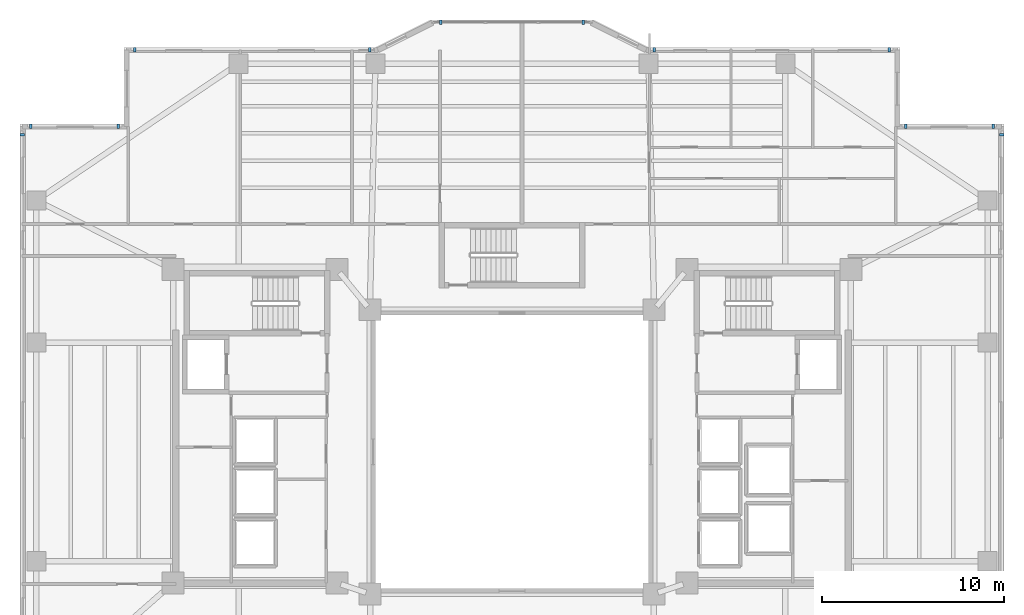
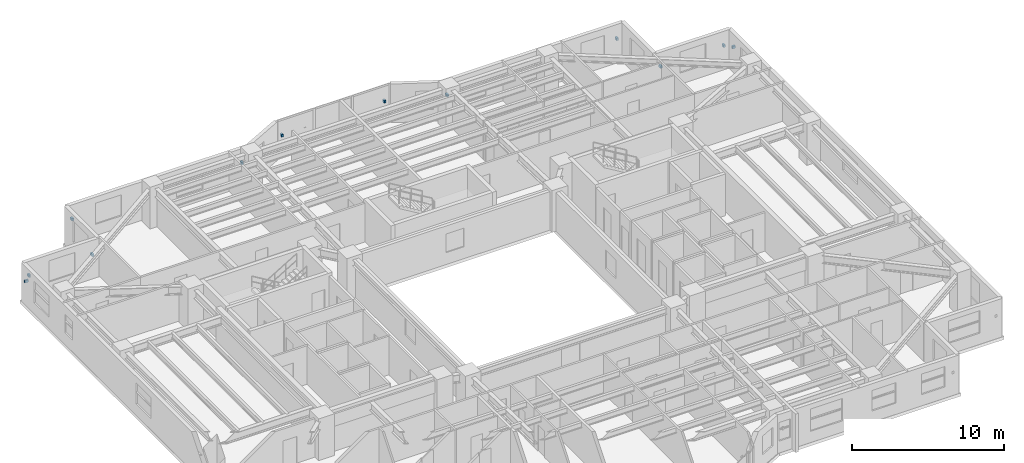
# One storey, part 13 of 18: 12 discrete accessories.
"""IFC4 building model written with IfcOpenShell, lengths in metres."""

from ifc_helpers import new_model, si_unit, direction, frame, origin, origin_2d, place, context, subcontext, project, spatial, rectangle, extrude, material, type_object, element, save


model = new_model("IFC4")

# Units and contexts
model_context = context("Model", 3, precision=1e-05, world=origin(), true_north=direction((0.0, 1.0)))
body_context = subcontext(model_context, "Body", "Model", "MODEL_VIEW")
ifc_project = project(units=[si_unit("LENGTHUNIT", "METRE"), si_unit("AREAUNIT", "SQUARE_METRE"), si_unit("VOLUMEUNIT", "CUBIC_METRE"), si_unit("PLANEANGLEUNIT", "RADIAN"), si_unit("MASSUNIT", "GRAM", prefix="KILO")], contexts=[model_context])

# Site, building, storey
site_placement = place(None, origin())
site = spatial("IfcSite", under=ifc_project, at=site_placement, CompositionType="ELEMENT")
building_placement = place(site_placement, origin())
building = spatial("IfcBuilding", under=site, at=building_placement, Name="Tarnavaz Court Tower", CompositionType="ELEMENT")
storey_placement = place(building_placement, frame((0.0, 0.0, 85.0)))
storey = spatial("IfcBuildingStorey", under=building, at=storey_placement, Name="L22", CompositionType="ELEMENT", Elevation=85.0)

# Discrete accessories
ifc_material = material(Name="Anodised Aluminium 6063-T6", Category="aluminium")
discrete_accessory_type = type_object("IfcDiscreteAccessoryType", Name="DA-BRKT-ALU", PredefinedType="BRACKET", material=ifc_material)
for number, where, z_axis, x_axis, name in (
    (1, (-26.8701171875, 17.39990234375, 1.75), (0.0, 0.0, 1.0), (0.0, 1.0, 0.0), "L22 Baguette Outrigger Bracket FBG02-2"),
    (2, (-26.39990234375, 17.8701171875, 1.75), (0.0, 0.0, 1.0), (1.0, 0.0, 0.0), "L22 Baguette Outrigger Bracket FBG03-1"),
    (3, (-21.60009765625, 17.8701171875, 1.75), (0.0, 0.0, 1.0), (1.0, 0.0, 0.0), "L22 Baguette Outrigger Bracket FBG03-2"),
    (4, (-20.699951171875, 22.070068359375, 1.75), (0.0, 0.0, 1.0), (1.0, 0.0, 0.0), "L22 Baguette Outrigger Bracket FBG05-1"),
    (5, (-7.800048828125, 22.070068359375, 1.75), (0.0, 0.0, 1.0), (1.0, 0.0, 0.0), "L22 Baguette Outrigger Bracket FBG05-2"),
    (6, (-3.89990234375, 23.570068359375, 1.7001953125), (0.0, 0.0, 1.0), (1.0, 0.0, 0.0), "L22 Baguette Outrigger Bracket PBG7-1"),
    (7, (3.89990234375, 23.570068359375, 1.7001953125), (0.0, 0.0, 1.0), (1.0, 0.0, 0.0), "L22 Baguette Outrigger Bracket PBG7-2"),
    (8, (7.800048828125, 22.070068359375, 1.75), (0.0, 0.0, 1.0), (1.0, 0.0, 0.0), "L22 Baguette Outrigger Bracket FBG09-1"),
    (9, (20.699951171875, 22.070068359375, 1.75), (0.0, 0.0, 1.0), (1.0, 0.0, 0.0), "L22 Baguette Outrigger Bracket FBG09-2"),
    (10, (21.60009765625, 17.8701171875, 1.75), (0.0, 0.0, 1.0), (1.0, 0.0, 0.0), "L22 Baguette Outrigger Bracket FBG11-1"),
    (11, (26.39990234375, 17.8701171875, 1.75), (0.0, 0.0, 1.0), (1.0, 0.0, 0.0), "L22 Baguette Outrigger Bracket FBG11-2"),
    (12, (26.8701171875, 17.39990234375, 1.75), (0.0, 0.0, 1.0), (0.0, -1.0, 0.0), "L22 Baguette Outrigger Bracket FBG12-1"),
):
    element("IfcDiscreteAccessory", number, at=place(storey_placement, frame(where, z_axis=z_axis, x_axis=x_axis)), inside=storey, type_object=discrete_accessory_type, Name=name, PredefinedType="BRACKET", context=body_context, shape_type="SweptSolid", body=[
        extrude(rectangle(XDim=0.139892578125, YDim=0.239990234375, at=origin_2d()), origin(), (0.0, 0.0, 1.0), 0.199951171875),
    ])

save(model, "model.ifc")
